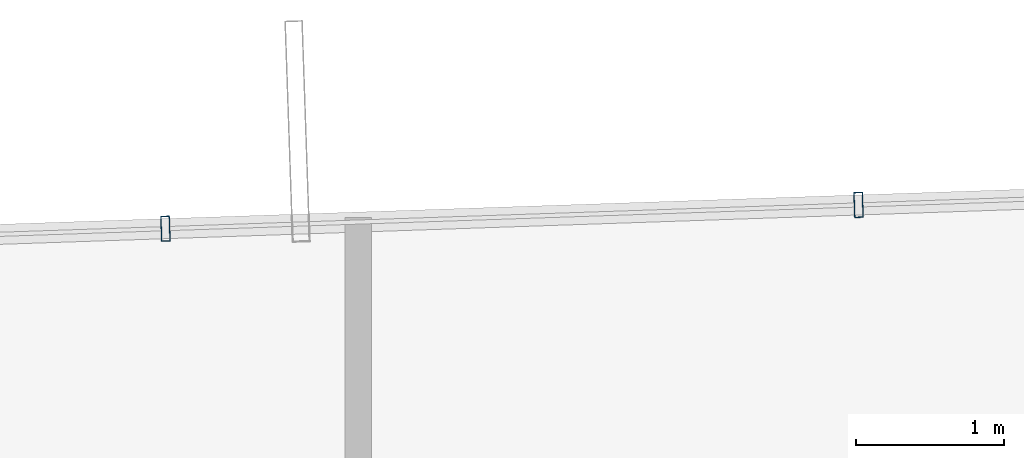
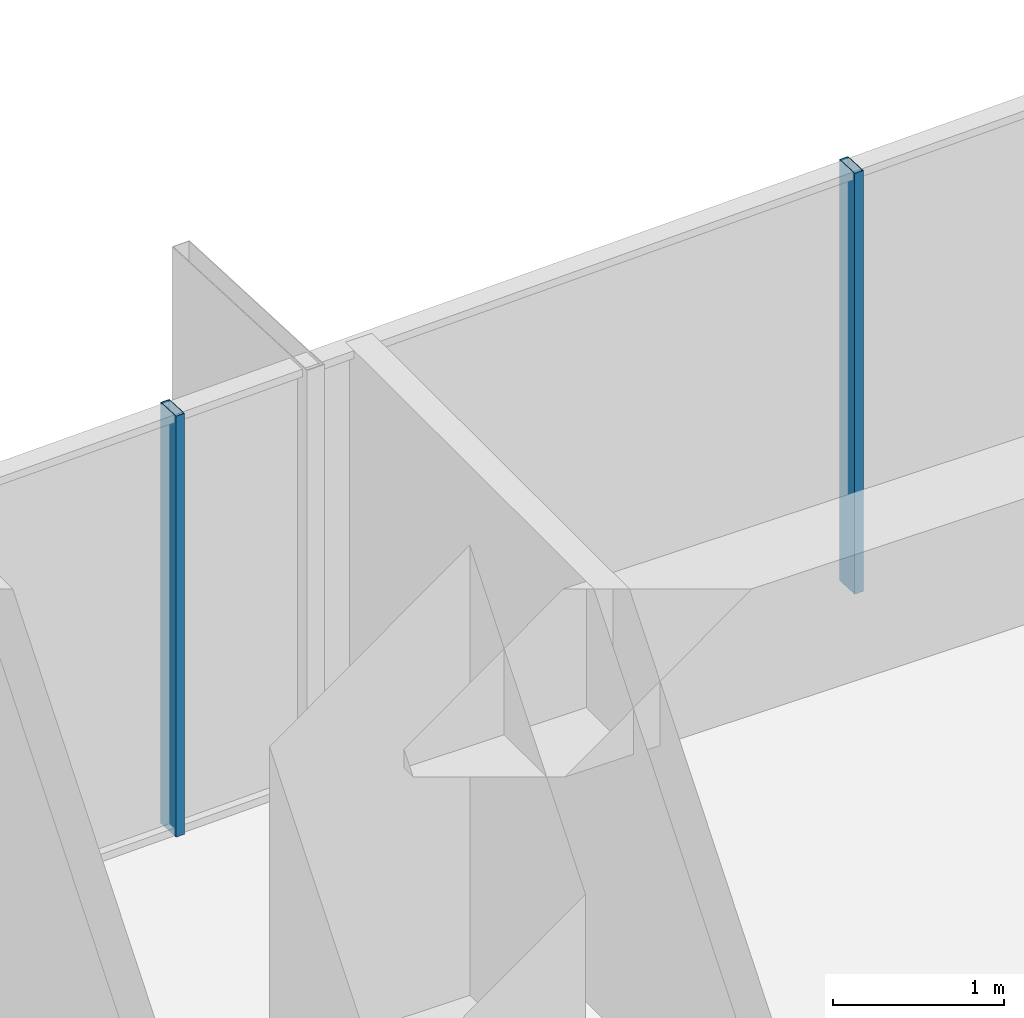
# One storey, part 27 of 39: 2 members, 1 element without a shape of its own.
"""IFC4 building model written with IfcOpenShell, lengths in metres."""

from ifc_helpers import new_model, si_unit, direction, frame, origin, origin_2d, place, context, subcontext, project, spatial, hollow_rectangle, extrude, source, transform, mapped, material, layer, layer_set, material_profile, profile_set, type_object, element, aggregate, save


model = new_model("IFC4")

# Units and contexts
model_context = context("Model", 3, precision=1e-05, world=origin(), true_north=direction((0.0, 1.0)))
body_context = subcontext(model_context, "Body", "Model", "MODEL_VIEW")
ifc_project = project(units=[si_unit("LENGTHUNIT", "METRE"), si_unit("AREAUNIT", "SQUARE_METRE"), si_unit("VOLUMEUNIT", "CUBIC_METRE"), si_unit("PLANEANGLEUNIT", "RADIAN"), si_unit("MASSUNIT", "GRAM", prefix="KILO")], contexts=[model_context])

# Site, building, storey
site_placement = place(None, origin())
site = spatial("IfcSite", under=ifc_project, at=site_placement, CompositionType="ELEMENT")
building_placement = place(site_placement, origin())
building = spatial("IfcBuilding", under=site, at=building_placement, Name="Veraguas Prism Commons", CompositionType="ELEMENT")
storey_placement = place(building_placement, frame((0.0, 0.0, 30.550048828125)))
storey = spatial("IfcBuildingStorey", under=building, at=storey_placement, Name="L07", CompositionType="ELEMENT", Elevation=30.550048828125)

# Curtain wall, members
ifc_material = material(Name="Anodised aluminium EN AW-6063 T6", Category="aluminium")
ifc_layer = layer(ifc_material, 0.169921875, Name="Unitised Flush Curtain Wall Zone 1", Category="aluminium")
ifc_layer_set = layer_set([ifc_layer], Name="Anodised aluminium EN AW-6063 T6")
curtain_wall_type = type_object("IfcCurtainWallType", Name="Unitised Flush Curtain Wall Zone 1", PredefinedType="NOTDEFINED", material=ifc_layer_set)
curtain_wall_placement = place(storey_placement, origin())
curtain_wall = element("IfcCurtainWall", 1, at=curtain_wall_placement, inside=storey, type_object=curtain_wall_type, Name="Tower Facade Curtain Wall L07-F2", PredefinedType="NOTDEFINED")
ifc_material_profile = material_profile(ifc_material, hollow_rectangle(XDim=0.06005859375, YDim=0.169921875, WallThickness=0.00390625, at=origin_2d()), Name="AL60X170X4")
ifc_profile_set = profile_set([ifc_material_profile], Name="Anodised aluminium EN AW-6063 T6")
member_type = type_object("IfcMemberType", Name="Curtain Wall Mullion Lower AL 60x170x4", PredefinedType="MULLION", material=ifc_profile_set)
shared_shape = source(origin(), body_context, "Body", "SweptSolid", [
    extrude(hollow_rectangle(XDim=0.06005859375, YDim=0.169921875, WallThickness=0.00390625, at=origin_2d()), origin(), (0.0, 0.0, 1.0), 3.0),
])
member_1_placement = place(storey_placement, frame((23.2890625, 44.7724609375, 0.0), z_axis=(0.0, 0.0, 1.0), x_axis=(-0.999415186666, -0.034194804603, 0.0)))
member_1 = element("IfcMember", 2, at=member_1_placement, type_object=member_type, Name="CW-Z1 Mullion 3", PredefinedType="MULLION", context=body_context, shape_type="MappedRepresentation", body=[
    mapped(shared_shape, transform((0.0, 0.0, 0.0), scale=1.0)),
])
member_2_placement = place(storey_placement, frame((18.620849609375, 44.61279296875, 0.0), z_axis=(0.0, 0.0, 1.0), x_axis=(-0.999415186666, -0.034194804603, 0.0)))
member_2 = element("IfcMember", 3, at=member_2_placement, type_object=member_type, Name="CW-Z1 Mullion 4", PredefinedType="MULLION", context=body_context, shape_type="MappedRepresentation", body=[
    mapped(shared_shape, transform((0.0, 0.0, 0.0), scale=1.0)),
])
aggregate(curtain_wall, [member_1, member_2])

save(model, "model.ifc")
